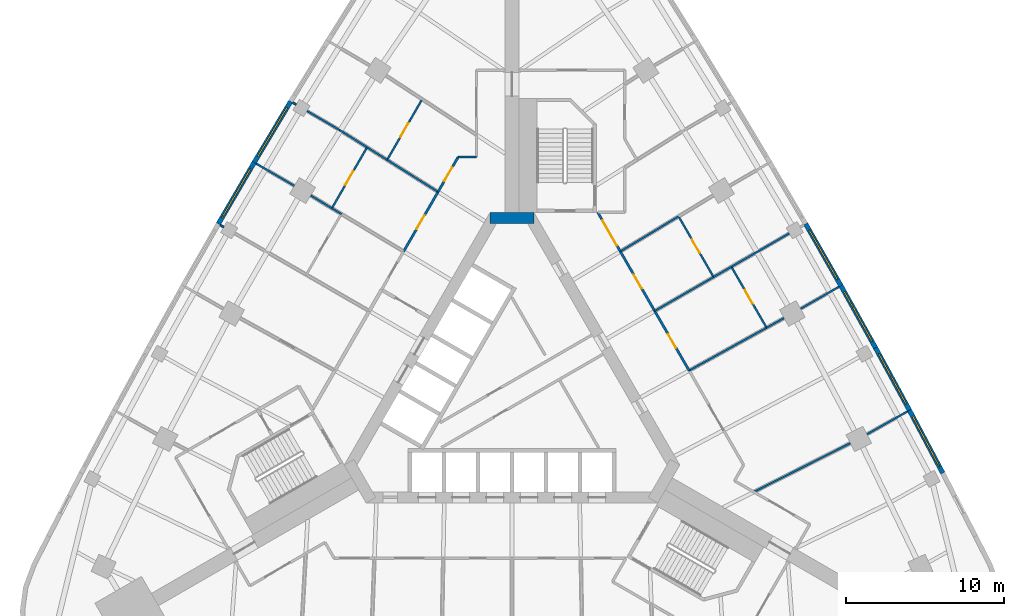
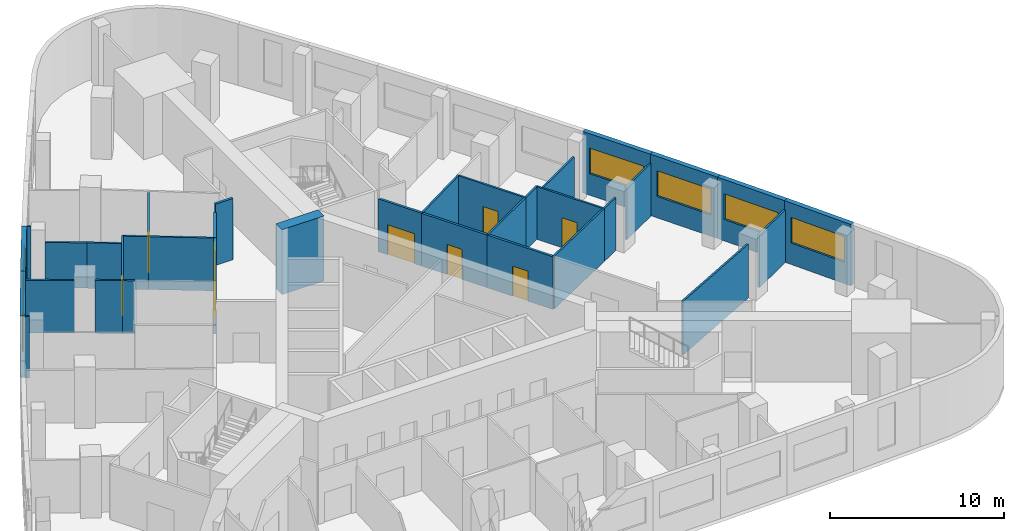
# One storey, part 8 of 11: 35 walls, 9 doors, 6 windows, 15 openings.
"""IFC4 building model written with IfcOpenShell, lengths in metres."""

from ifc_helpers import new_model, si_unit, direction, frame, frame_2d, origin, place, context, subcontext, project, spatial, rectangle, extrude, material, layer, layer_set, type_object, element, fill, save


model = new_model("IFC4")

# Units and contexts
model_context = context("Model", 3, precision=1e-05, world=origin(), true_north=direction((0.0, 1.0)))
body_context = subcontext(model_context, "Body", "Model", "MODEL_VIEW")
ifc_project = project(units=[si_unit("LENGTHUNIT", "METRE"), si_unit("AREAUNIT", "SQUARE_METRE"), si_unit("VOLUMEUNIT", "CUBIC_METRE"), si_unit("PLANEANGLEUNIT", "RADIAN"), si_unit("MASSUNIT", "GRAM", prefix="KILO")], contexts=[model_context])

# Site, building, storey
site_placement = place(None, origin())
site = spatial("IfcSite", under=ifc_project, at=site_placement, CompositionType="ELEMENT")
building_placement = place(site_placement, origin())
building = spatial("IfcBuilding", under=site, at=building_placement, Name="Noor Cloister Tower", CompositionType="ELEMENT")
storey_placement = place(building_placement, frame((0.0, 0.0, 19.5)))
storey = spatial("IfcBuildingStorey", under=building, at=storey_placement, Name="L04", CompositionType="ELEMENT", Elevation=19.5)

# Wall
ifc_material_1 = material(Name="Concrete C80/95", Category="concrete")
ifc_layer_1 = layer(ifc_material_1, 0.699951171875)
ifc_layer_set_1 = layer_set([ifc_layer_1], Name="Core wall 700 C80/95")
wall_type_1 = type_object("IfcWallType", Name="Core wall 700 C80/95", PredefinedType="SHEAR", material=ifc_layer_set_1)
wall_1_placement = place(storey_placement, frame((1.3857421875, 11.1064453125, -0.25), z_axis=(0.0, 0.0, 1.0), x_axis=(-1.0, 0.0, 0.0)))
element("IfcWall", 1, at=wall_1_placement, inside=storey, type_object=wall_type_1, Name="Core wall L04 4", PredefinedType="SHEAR", context=body_context, shape_type="SweptSolid", body=[
    extrude(rectangle(XDim=2.771484375, YDim=0.699951171875, at=frame_2d((1.3857421875, 0.0))), origin(), (0.0, 0.0, 1.0), 4.550048828125),
])

# Wall, opening, door
ifc_material_2 = material(Name="Plasterboard on steel studs", Category="steel")
ifc_layer_2 = layer(ifc_material_2, 0.14990234375)
ifc_layer_set_2 = layer_set([ifc_layer_2], Name="Corridor wall 150")
wall_type_2 = type_object("IfcWallType", Name="Corridor wall 150", PredefinedType="PARTITIONING", material=ifc_layer_set_2)
wall_2_placement = place(storey_placement, frame((11.2060546875, 1.447021484375, 0.0), z_axis=(0.0, 0.0, 1.0), x_axis=(-0.50014197282, 0.865943420221, 0.0)))
wall_2 = element("IfcWall", 2, at=wall_2_placement, inside=storey, type_object=wall_type_2, Name="Partition", PredefinedType="PARTITIONING", context=body_context, shape_type="SweptSolid", body=[
    extrude(rectangle(XDim=4.348876953125, YDim=0.14990234375, at=frame_2d((2.17431640625, 0.0))), origin(), (0.0, 0.0, 1.0), 3.68798828125),
])
opening_1_placement = place(wall_2_placement, frame((1.64990234375, 0.0, 0.0)))
opening_1 = element("IfcOpeningElement", 3, at=opening_1_placement, cuts=wall_2, Name="Opening L04-016", PredefinedType="OPENING", context=body_context, shape_type="SweptSolid", body=[
    extrude(rectangle(XDim=1.0, YDim=2.10009765625, at=frame_2d((0.5, 1.050048828125))), frame((0.0, 0.0849609375, 0.0), z_axis=(0.0, -1.0, 0.0), x_axis=(1.0, 0.0, 0.0)), (0.0, 0.0, 1.0), 0.169921875),
])
ifc_material_3 = material(Name="Timber door leaf", Category="wood")
door_type_1 = type_object("IfcDoorType", Name="Clinic room door 1000", OperationType="SINGLE_SWING_LEFT", PredefinedType="DOOR", material=ifc_material_3)
door_1_placement = place(opening_1_placement, origin())
door_1 = element("IfcDoor", 4, at=door_1_placement, inside=storey, type_object=door_type_1, Name="Door L04-016", OperationType="SINGLE_SWING_RIGHT", OverallHeight=2.10009765625, OverallWidth=1.0, PredefinedType="DOOR", context=body_context, shape_type="SweptSolid", body=[
    extrude(rectangle(XDim=1.0, YDim=2.10009765625, at=frame_2d((0.5, 1.050048828125))), frame((0.0, 0.02490234375, 0.0), z_axis=(0.0, -1.0, 0.0), x_axis=(1.0, 0.0, 0.0)), (0.0, 0.0, 1.0), 0.050048828125),
])
fill(opening_1, door_1)

wall_3_placement = place(storey_placement, frame((9.030029296875, 5.215087890625, 0.0), z_axis=(0.0, 0.0, 1.0), x_axis=(-0.500070818246, 0.86598451299, 0.0)))
wall_3 = element("IfcWall", 5, at=wall_3_placement, inside=storey, type_object=wall_type_2, Name="Partition", PredefinedType="PARTITIONING", context=body_context, shape_type="SweptSolid", body=[
    extrude(rectangle(XDim=4.347412109375, YDim=0.14990234375, at=frame_2d((2.173828125, 0.0))), origin(), (0.0, 0.0, 1.0), 3.68798828125),
])
opening_2_placement = place(wall_3_placement, frame((1.64990234375, 0.0, 0.0)))
opening_2 = element("IfcOpeningElement", 6, at=opening_2_placement, cuts=wall_3, Name="Opening L04-020", PredefinedType="OPENING", context=body_context, shape_type="SweptSolid", body=[
    extrude(rectangle(XDim=1.0, YDim=2.10009765625, at=frame_2d((0.5, 1.050048828125))), frame((0.0, 0.0849609375, 0.0), z_axis=(0.0, -1.0, 0.0), x_axis=(1.0, 0.0, 0.0)), (0.0, 0.0, 1.0), 0.169921875),
])
door_2_placement = place(opening_2_placement, origin())
door_2 = element("IfcDoor", 7, at=door_2_placement, inside=storey, type_object=door_type_1, Name="Door L04-020", OperationType="SINGLE_SWING_RIGHT", OverallHeight=2.10009765625, OverallWidth=1.0, PredefinedType="DOOR", context=body_context, shape_type="SweptSolid", body=[
    extrude(rectangle(XDim=1.0, YDim=2.10009765625, at=frame_2d((0.5, 1.050048828125))), frame((0.0, 0.02490234375, 0.0), z_axis=(0.0, -1.0, 0.0), x_axis=(1.0, 0.0, 0.0)), (0.0, 0.0, 1.0), 0.050048828125),
])
fill(opening_2, door_2)

wall_4_placement = place(storey_placement, frame((6.85498046875, 8.98193359375, 0.0), z_axis=(0.0, 0.0, 1.0), x_axis=(-0.500176439337, 0.865923512519, 0.0)))
wall_4 = element("IfcWall", 8, at=wall_4_placement, inside=storey, type_object=wall_type_2, Name="Partition", PredefinedType="PARTITIONING", context=body_context, shape_type="SweptSolid", body=[
    extrude(rectangle(XDim=2.85498046875, YDim=0.14990234375, at=frame_2d((1.427490234375, 0.0))), origin(), (0.0, 0.0, 1.0), 3.697998046875),
])
opening_3_placement = place(wall_4_placement, frame((0.449951171875, 0.0, 0.0)))
opening_3 = element("IfcOpeningElement", 9, at=opening_3_placement, cuts=wall_4, Name="Opening L04-024", PredefinedType="OPENING", context=body_context, shape_type="SweptSolid", body=[
    extrude(rectangle(XDim=1.800048828125, YDim=2.10009765625, at=frame_2d((0.89990234375, 1.050048828125))), frame((0.0, 0.0849609375, 0.0), z_axis=(0.0, -1.0, 0.0), x_axis=(1.0, 0.0, 0.0)), (0.0, 0.0, 1.0), 0.169921875),
])
ifc_material_4 = material(Name="Timber door leaf", Category="wood")
door_type_2 = type_object("IfcDoorType", Name="Double leaf door 1800", OperationType="DOUBLE_DOOR_SINGLE_SWING", PredefinedType="DOOR", material=ifc_material_4)
door_3_placement = place(opening_3_placement, origin())
door_3 = element("IfcDoor", 10, at=door_3_placement, inside=storey, type_object=door_type_2, Name="Door L04-024", OperationType="DOUBLE_DOOR_SINGLE_SWING", OverallHeight=2.10009765625, OverallWidth=1.800048828125, PredefinedType="DOOR", context=body_context, shape_type="SweptSolid", body=[
    extrude(rectangle(XDim=1.800048828125, YDim=2.10009765625, at=frame_2d((0.89990234375, 1.050048828125))), frame((0.0, 0.02490234375, 0.0), z_axis=(0.0, -1.0, 0.0), x_axis=(1.0, 0.0, 0.0)), (0.0, 0.0, 1.0), 0.050048828125),
])
fill(opening_3, door_3)

wall_5_placement = place(storey_placement, frame((-6.85791015625, 8.97900390625, 0.0), z_axis=(0.0, 0.0, 1.0), x_axis=(0.500105111742, 0.865964708986, 0.0)))
wall_5 = element("IfcWall", 11, at=wall_5_placement, inside=storey, type_object=wall_type_2, Name="Partition", PredefinedType="PARTITIONING", context=body_context, shape_type="SweptSolid", body=[
    extrude(rectangle(XDim=4.36279296875, YDim=0.14990234375, at=frame_2d((2.181396484375, 0.0))), origin(), (0.0, 0.0, 1.0), 3.697998046875),
])
opening_4_placement = place(wall_5_placement, frame((1.64990234375, 0.0, 0.0)))
opening_4 = element("IfcOpeningElement", 12, at=opening_4_placement, cuts=wall_5, Name="Opening L04-023", PredefinedType="OPENING", context=body_context, shape_type="SweptSolid", body=[
    extrude(rectangle(XDim=1.0, YDim=2.10009765625, at=frame_2d((0.5, 1.050048828125))), frame((0.0, 0.0849609375, 0.0), z_axis=(0.0, -1.0, 0.0), x_axis=(1.0, 0.0, 0.0)), (0.0, 0.0, 1.0), 0.169921875),
])
door_4_placement = place(opening_4_placement, origin())
door_4 = element("IfcDoor", 13, at=door_4_placement, inside=storey, type_object=door_type_1, Name="Door L04-023", OperationType="SINGLE_SWING_LEFT", OverallHeight=2.10009765625, OverallWidth=1.0, PredefinedType="DOOR", context=body_context, shape_type="SweptSolid", body=[
    extrude(rectangle(XDim=1.0, YDim=2.10009765625, at=frame_2d((0.5, 1.050048828125))), frame((0.0, 0.02490234375, 0.0), z_axis=(0.0, -1.0, 0.0), x_axis=(1.0, 0.0, 0.0)), (0.0, 0.0, 1.0), 0.050048828125),
])
fill(opening_4, door_4)

# Wall
wall_6_placement = place(storey_placement, frame((-2.25, 14.9560546875, 0.0), z_axis=(0.0, 0.0, 1.0), x_axis=(-1.0, 0.0, 0.0)))
element("IfcWall", 14, at=wall_6_placement, inside=storey, type_object=wall_type_2, Name="Partition", PredefinedType="PARTITIONING", context=body_context, shape_type="SweptSolid", body=[
    extrude(rectangle(XDim=1.156005859375, YDim=0.14990234375, at=frame_2d((0.578125, 0.0))), origin(), (0.0, 0.0, 1.0), 4.300048828125),
])

# Wall, opening, door
wall_7_placement = place(storey_placement, frame((-3.406005859375, 14.9560546875, 0.0), z_axis=(0.0, 0.0, 1.0), x_axis=(-0.499999364504, -0.866025770688, 0.0)))
wall_7 = element("IfcWall", 15, at=wall_7_placement, inside=storey, type_object=wall_type_2, Name="Partition", PredefinedType="PARTITIONING", context=body_context, shape_type="SweptSolid", body=[
    extrude(rectangle(XDim=2.5439453125, YDim=0.14990234375, at=frame_2d((1.27197265625, 0.0))), origin(), (0.0, 0.0, 1.0), 3.697998046875),
])
opening_5_placement = place(wall_7_placement, frame((0.75, 0.0, 0.0)))
opening_5 = element("IfcOpeningElement", 16, at=opening_5_placement, cuts=wall_7, Name="Opening L04-026", PredefinedType="OPENING", context=body_context, shape_type="SweptSolid", body=[
    extrude(rectangle(XDim=1.0, YDim=2.10009765625, at=frame_2d((0.5, 1.050048828125))), frame((0.0, 0.0849609375, 0.0), z_axis=(0.0, -1.0, 0.0), x_axis=(1.0, 0.0, 0.0)), (0.0, 0.0, 1.0), 0.169921875),
])
door_5_placement = place(opening_5_placement, origin())
door_5 = element("IfcDoor", 17, at=door_5_placement, inside=storey, type_object=door_type_1, Name="Door L04-026", OperationType="SINGLE_SWING_RIGHT", OverallHeight=2.10009765625, OverallWidth=1.0, PredefinedType="DOOR", context=body_context, shape_type="SweptSolid", body=[
    extrude(rectangle(XDim=1.0, YDim=2.10009765625, at=frame_2d((0.5, 1.050048828125))), frame((0.0, 0.02490234375, 0.0), z_axis=(0.0, -1.0, 0.0), x_axis=(1.0, 0.0, 0.0)), (0.0, 0.0, 1.0), 0.050048828125),
])
fill(opening_5, door_5)

# Wall, opening, window
ifc_material_5 = material(Name="Limestone", Category="masonry")
ifc_layer_3 = layer(ifc_material_5, 0.300048828125)
ifc_layer_set_3 = layer_set([ifc_layer_3], Name="Limestone panel wall 300")
wall_type_3 = type_object("IfcWallType", Name="Limestone panel wall 300", PredefinedType="NOTDEFINED", material=ifc_layer_set_3)
wall_8_placement = place(storey_placement, frame((-16.312744140625, 14.61376953125, 0.0), z_axis=(0.0, 0.0, 1.0), x_axis=(0.513257465408, 0.858234684805, 0.0)))
wall_8 = element("IfcWall", 18, at=wall_8_placement, inside=storey, type_object=wall_type_3, Name="Limestone wall L04 NW 4", PredefinedType="NOTDEFINED", context=body_context, shape_type="SweptSolid", body=[
    extrude(rectangle(XDim=4.49609375, YDim=0.300048828125, at=frame_2d((2.248046875, 0.0))), origin(), (0.0, 0.0, 1.0), 4.300048828125),
])
opening_6_placement = place(wall_8_placement, frame((0.447998046875, 0.0, 1.5)))
opening_6 = element("IfcOpeningElement", 19, at=opening_6_placement, cuts=wall_8, Name="Opening L04-W04", PredefinedType="OPENING", context=body_context, shape_type="SweptSolid", body=[
    extrude(rectangle(XDim=3.60009765625, YDim=1.800048828125, at=frame_2d((1.800048828125, 0.89990234375))), frame((0.0, 0.16015625, 0.0), z_axis=(0.0, -1.0, 0.0), x_axis=(1.0, 0.0, 0.0)), (0.0, 0.0, 1.0), 0.320068359375),
])
ifc_material_6 = material(Name="Aluminium 6063-T6 anodised", Category="aluminium")
window_type = type_object("IfcWindowType", Name="Clerestory window 3600 x 1800", PartitioningType="SINGLE_PANEL", PredefinedType="WINDOW", material=ifc_material_6)
window_1_placement = place(opening_6_placement, origin())
window_1 = element("IfcWindow", 20, at=window_1_placement, inside=storey, type_object=window_type, Name="Window L04 4", OverallHeight=1.800048828125, OverallWidth=3.60009765625, PartitioningType="SINGLE_PANEL", PredefinedType="WINDOW", context=body_context, shape_type="SweptSolid", body=[
    extrude(rectangle(XDim=3.60009765625, YDim=1.800048828125, at=frame_2d((1.800048828125, 0.89990234375))), frame((0.0, 0.030029296875, 0.0), z_axis=(0.0, -1.0, 0.0), x_axis=(1.0, 0.0, 0.0)), (0.0, 0.0, 1.0), 0.06005859375),
])
fill(opening_6, window_1)

wall_9_placement = place(storey_placement, frame((-18.58203125, 10.729736328125, 0.0), z_axis=(0.0, 0.0, 1.0), x_axis=(0.50445499627, 0.86343798662, 0.0)))
wall_9 = element("IfcWall", 21, at=wall_9_placement, inside=storey, type_object=wall_type_3, Name="Limestone wall L04 NW 5", PredefinedType="NOTDEFINED", context=body_context, shape_type="SweptSolid", body=[
    extrude(rectangle(XDim=4.49609375, YDim=0.300048828125, at=frame_2d((2.248046875, 0.0))), origin(), (0.0, 0.0, 1.0), 4.300048828125),
])
opening_7_placement = place(wall_9_placement, frame((0.447998046875, 0.0, 1.5)))
opening_7 = element("IfcOpeningElement", 22, at=opening_7_placement, cuts=wall_9, Name="Opening L04-W05", PredefinedType="OPENING", context=body_context, shape_type="SweptSolid", body=[
    extrude(rectangle(XDim=3.60009765625, YDim=1.800048828125, at=frame_2d((1.800048828125, 0.89990234375))), frame((0.0, 0.16015625, 0.0), z_axis=(0.0, -1.0, 0.0), x_axis=(1.0, 0.0, 0.0)), (0.0, 0.0, 1.0), 0.320068359375),
])
window_2_placement = place(opening_7_placement, origin())
window_2 = element("IfcWindow", 23, at=window_2_placement, inside=storey, type_object=window_type, Name="Window L04 5", OverallHeight=1.800048828125, OverallWidth=3.60009765625, PartitioningType="SINGLE_PANEL", PredefinedType="WINDOW", context=body_context, shape_type="SweptSolid", body=[
    extrude(rectangle(XDim=3.60009765625, YDim=1.800048828125, at=frame_2d((1.800048828125, 0.89990234375))), frame((0.0, 0.030029296875, 0.0), z_axis=(0.0, -1.0, 0.0), x_axis=(1.0, 0.0, 0.0)), (0.0, 0.0, 1.0), 0.06005859375),
])
fill(opening_7, window_2)

wall_10_placement = place(storey_placement, frame((25.149658203125, -1.061767578125, 0.0), z_axis=(0.0, 0.0, 1.0), x_axis=(0.468566202388, -0.883428386447, 0.0)))
wall_10 = element("IfcWall", 24, at=wall_10_placement, inside=storey, type_object=wall_type_3, Name="Limestone wall L04 NE 2", PredefinedType="NOTDEFINED", context=body_context, shape_type="SweptSolid", body=[
    extrude(rectangle(XDim=4.49609375, YDim=0.300048828125, at=frame_2d((2.248046875, 0.0))), origin(), (0.0, 0.0, 1.0), 4.300048828125),
])
opening_8_placement = place(wall_10_placement, frame((0.447998046875, 0.0, 1.5)))
opening_8 = element("IfcOpeningElement", 25, at=opening_8_placement, cuts=wall_10, Name="Opening L04-W22", PredefinedType="OPENING", context=body_context, shape_type="SweptSolid", body=[
    extrude(rectangle(XDim=3.60009765625, YDim=1.800048828125, at=frame_2d((1.800048828125, 0.89990234375))), frame((0.0, 0.16015625, 0.0), z_axis=(0.0, -1.0, 0.0), x_axis=(1.0, 0.0, 0.0)), (0.0, 0.0, 1.0), 0.320068359375),
])
window_3_placement = place(opening_8_placement, origin())
window_3 = element("IfcWindow", 26, at=window_3_placement, inside=storey, type_object=window_type, Name="Window L04 22", OverallHeight=1.800048828125, OverallWidth=3.60009765625, PartitioningType="SINGLE_PANEL", PredefinedType="WINDOW", context=body_context, shape_type="SweptSolid", body=[
    extrude(rectangle(XDim=3.60009765625, YDim=1.800048828125, at=frame_2d((1.800048828125, 0.89990234375))), frame((0.0, 0.030029296875, 0.0), z_axis=(0.0, -1.0, 0.0), x_axis=(1.0, 0.0, 0.0)), (0.0, 0.0, 1.0), 0.06005859375),
])
fill(opening_8, window_3)

wall_11_placement = place(storey_placement, frame((23.001220703125, 2.890380859375, 0.0), z_axis=(0.0, 0.0, 1.0), x_axis=(0.477577109439, -0.878589838628, 0.0)))
wall_11 = element("IfcWall", 27, at=wall_11_placement, inside=storey, type_object=wall_type_3, Name="Limestone wall L04 NE 3", PredefinedType="NOTDEFINED", context=body_context, shape_type="SweptSolid", body=[
    extrude(rectangle(XDim=4.49609375, YDim=0.300048828125, at=frame_2d((2.248046875, 0.0))), origin(), (0.0, 0.0, 1.0), 4.300048828125),
])
opening_9_placement = place(wall_11_placement, frame((0.447998046875, 0.0, 1.5)))
opening_9 = element("IfcOpeningElement", 28, at=opening_9_placement, cuts=wall_11, Name="Opening L04-W23", PredefinedType="OPENING", context=body_context, shape_type="SweptSolid", body=[
    extrude(rectangle(XDim=3.60009765625, YDim=1.800048828125, at=frame_2d((1.800048828125, 0.89990234375))), frame((0.0, 0.16015625, 0.0), z_axis=(0.0, -1.0, 0.0), x_axis=(1.0, 0.0, 0.0)), (0.0, 0.0, 1.0), 0.320068359375),
])
window_4_placement = place(opening_9_placement, origin())
window_4 = element("IfcWindow", 29, at=window_4_placement, inside=storey, type_object=window_type, Name="Window L04 23", OverallHeight=1.800048828125, OverallWidth=3.60009765625, PartitioningType="SINGLE_PANEL", PredefinedType="WINDOW", context=body_context, shape_type="SweptSolid", body=[
    extrude(rectangle(XDim=3.60009765625, YDim=1.800048828125, at=frame_2d((1.800048828125, 0.89990234375))), frame((0.0, 0.030029296875, 0.0), z_axis=(0.0, -1.0, 0.0), x_axis=(1.0, 0.0, 0.0)), (0.0, 0.0, 1.0), 0.06005859375),
])
fill(opening_9, window_4)

wall_12_placement = place(storey_placement, frame((20.812255859375, 6.8203125, 0.0), z_axis=(0.0, 0.0, 1.0), x_axis=(0.486606252415, -0.873621402617, 0.0)))
wall_12 = element("IfcWall", 30, at=wall_12_placement, inside=storey, type_object=wall_type_3, Name="Limestone wall L04 NE 4", PredefinedType="NOTDEFINED", context=body_context, shape_type="SweptSolid", body=[
    extrude(rectangle(XDim=4.495849609375, YDim=0.300048828125, at=frame_2d((2.248046875, 0.0))), origin(), (0.0, 0.0, 1.0), 4.300048828125),
])
opening_10_placement = place(wall_12_placement, frame((0.447998046875, 0.0, 1.5)))
opening_10 = element("IfcOpeningElement", 31, at=opening_10_placement, cuts=wall_12, Name="Opening L04-W24", PredefinedType="OPENING", context=body_context, shape_type="SweptSolid", body=[
    extrude(rectangle(XDim=3.60009765625, YDim=1.800048828125, at=frame_2d((1.800048828125, 0.89990234375))), frame((0.0, 0.16015625, 0.0), z_axis=(0.0, -1.0, 0.0), x_axis=(1.0, 0.0, 0.0)), (0.0, 0.0, 1.0), 0.320068359375),
])
window_5_placement = place(opening_10_placement, origin())
window_5 = element("IfcWindow", 32, at=window_5_placement, inside=storey, type_object=window_type, Name="Window L04 24", OverallHeight=1.800048828125, OverallWidth=3.60009765625, PartitioningType="SINGLE_PANEL", PredefinedType="WINDOW", context=body_context, shape_type="SweptSolid", body=[
    extrude(rectangle(XDim=3.60009765625, YDim=1.800048828125, at=frame_2d((1.800048828125, 0.89990234375))), frame((0.0, 0.030029296875, 0.0), z_axis=(0.0, -1.0, 0.0), x_axis=(1.0, 0.0, 0.0)), (0.0, 0.0, 1.0), 0.06005859375),
])
fill(opening_10, window_5)

wall_13_placement = place(storey_placement, frame((18.583251953125, 10.7275390625, 0.0), z_axis=(0.0, 0.0, 1.0), x_axis=(0.495524760411, -0.868593812907, 0.0)))
wall_13 = element("IfcWall", 33, at=wall_13_placement, inside=storey, type_object=wall_type_3, Name="Limestone wall L04 NE 5", PredefinedType="NOTDEFINED", context=body_context, shape_type="SweptSolid", body=[
    extrude(rectangle(XDim=4.495849609375, YDim=0.300048828125, at=frame_2d((2.248046875, 0.0))), origin(), (0.0, 0.0, 1.0), 4.300048828125),
])
opening_11_placement = place(wall_13_placement, frame((0.447998046875, 0.0, 1.5)))
opening_11 = element("IfcOpeningElement", 34, at=opening_11_placement, cuts=wall_13, Name="Opening L04-W25", PredefinedType="OPENING", context=body_context, shape_type="SweptSolid", body=[
    extrude(rectangle(XDim=3.60009765625, YDim=1.800048828125, at=frame_2d((1.800048828125, 0.89990234375))), frame((0.0, 0.16015625, 0.0), z_axis=(0.0, -1.0, 0.0), x_axis=(1.0, 0.0, 0.0)), (0.0, 0.0, 1.0), 0.320068359375),
])
window_6_placement = place(opening_11_placement, origin())
window_6 = element("IfcWindow", 35, at=window_6_placement, inside=storey, type_object=window_type, Name="Window L04 25", OverallHeight=1.800048828125, OverallWidth=3.60009765625, PartitioningType="SINGLE_PANEL", PredefinedType="WINDOW", context=body_context, shape_type="SweptSolid", body=[
    extrude(rectangle(XDim=3.60009765625, YDim=1.800048828125, at=frame_2d((1.800048828125, 0.89990234375))), frame((0.0, 0.030029296875, 0.0), z_axis=(0.0, -1.0, 0.0), x_axis=(1.0, 0.0, 0.0)), (0.0, 0.0, 1.0), 0.06005859375),
])
fill(opening_11, window_6)

# Walls
ifc_material_7 = material(Name="Plasterboard on steel studs", Category="steel")
ifc_layer_4 = layer(ifc_material_7, 0.1201171875)
ifc_layer_set_4 = layer_set([ifc_layer_4], Name="Partition wall 120")
wall_type_4 = type_object("IfcWallType", Name="Partition wall 120", PredefinedType="PARTITIONING", material=ifc_layer_set_4)
wall_14_placement = place(storey_placement, frame((21.40087890625, -3.14990234375, 0.0), z_axis=(0.0, 0.0, 1.0), x_axis=(-0.892483368892, -0.451080299117, 0.0)))
element("IfcWall", 36, at=wall_14_placement, inside=storey, type_object=wall_type_4, Name="Partition", PredefinedType="PARTITIONING", context=body_context, shape_type="SweptSolid", body=[
    extrude(rectangle(XDim=6.8369140625, YDim=0.1201171875, at=frame_2d((3.41845703125, 0.0))), origin(), (0.0, 0.0, 1.0), 3.76708984375),
])
wall_15_placement = place(storey_placement, frame((25.02001953125, -1.137939453125, 0.0), z_axis=(0.0, 0.0, 1.0), x_axis=(-0.870620069476, -0.491955988505, 0.0)))
element("IfcWall", 37, at=wall_15_placement, inside=storey, type_object=wall_type_4, Name="Partition", PredefinedType="PARTITIONING", context=body_context, shape_type="SweptSolid", body=[
    extrude(rectangle(XDim=2.939453125, YDim=0.1201171875, at=frame_2d((1.4697265625, 0.0))), origin(), (0.0, 0.0, 1.0), 3.68310546875),
])
wall_16_placement = place(storey_placement, frame((16.10791015625, 4.155029296875, 0.0), z_axis=(0.0, 0.0, 1.0), x_axis=(-0.875228903622, -0.483708968559, 0.0)))
element("IfcWall", 38, at=wall_16_placement, inside=storey, type_object=wall_type_4, Name="Partition", PredefinedType="PARTITIONING", context=body_context, shape_type="SweptSolid", body=[
    extrude(rectangle(XDim=5.598388671875, YDim=0.1201171875, at=frame_2d((2.79931640625, 0.0))), origin(), (0.0, 0.0, 1.0), 3.697998046875),
])
wall_17_placement = place(storey_placement, frame((17.214111328125, 4.76708984375, 0.0), z_axis=(0.0, 0.0, 1.0), x_axis=(-0.875140294724, -0.483869263904, 0.0)))
element("IfcWall", 39, at=wall_17_placement, inside=storey, type_object=wall_type_4, Name="Partition", PredefinedType="PARTITIONING", context=body_context, shape_type="SweptSolid", body=[
    extrude(rectangle(XDim=1.262939453125, YDim=0.1201171875, at=frame_2d((0.63134765625, 0.0))), origin(), (0.0, 0.0, 1.0), 3.697998046875),
])
wall_18_placement = place(storey_placement, frame((20.681884765625, 6.74609375, 0.0), z_axis=(0.0, 0.0, 1.0), x_axis=(-0.867283853893, -0.49781393791, 0.0)))
element("IfcWall", 40, at=wall_18_placement, inside=storey, type_object=wall_type_4, Name="Partition", PredefinedType="PARTITIONING", context=body_context, shape_type="SweptSolid", body=[
    extrude(rectangle(XDim=2.79248046875, YDim=0.1201171875, at=frame_2d((1.396240234375, 0.0))), origin(), (0.0, 0.0, 1.0), 3.68310546875),
])

# Wall, opening, door
wall_19_placement = place(storey_placement, frame((16.10693359375, 4.156005859375, 0.0), z_axis=(0.0, 0.0, 1.0), x_axis=(-0.499836357881, 0.866119861994, 0.0)))
wall_19 = element("IfcWall", 41, at=wall_19_placement, inside=storey, type_object=wall_type_4, Name="Partition", PredefinedType="PARTITIONING", context=body_context, shape_type="SweptSolid", body=[
    extrude(rectangle(XDim=4.453125, YDim=0.1201171875, at=frame_2d((2.2265625, 0.0))), origin(), (0.0, 0.0, 1.0), 3.68798828125),
])
opening_12_placement = place(wall_19_placement, frame((1.75, 0.0, 0.0)))
opening_12 = element("IfcOpeningElement", 42, at=opening_12_placement, cuts=wall_19, Name="Opening L04-018", PredefinedType="OPENING", context=body_context, shape_type="SweptSolid", body=[
    extrude(rectangle(XDim=1.0, YDim=2.10009765625, at=frame_2d((0.5, 1.050048828125))), frame((0.0, 0.070068359375, 0.0), z_axis=(0.0, -1.0, 0.0), x_axis=(1.0, 0.0, 0.0)), (0.0, 0.0, 1.0), 0.14013671875),
])
door_6_placement = place(opening_12_placement, origin())
door_6 = element("IfcDoor", 43, at=door_6_placement, inside=storey, type_object=door_type_1, Name="Door L04-018", OperationType="SINGLE_SWING_LEFT", OverallHeight=2.10009765625, OverallWidth=1.0, PredefinedType="DOOR", context=body_context, shape_type="SweptSolid", body=[
    extrude(rectangle(XDim=1.0, YDim=2.10009765625, at=frame_2d((0.5, 1.050048828125))), frame((0.0, 0.02490234375, 0.0), z_axis=(0.0, -1.0, 0.0), x_axis=(1.0, 0.0, 0.0)), (0.0, 0.0, 1.0), 0.050048828125),
])
fill(opening_12, door_6)

# Walls
wall_20_placement = place(storey_placement, frame((12.7548828125, 7.363037109375, 0.0), z_axis=(0.0, 0.0, 1.0), x_axis=(-0.866173292352, -0.499743761959, 0.0)))
element("IfcWall", 44, at=wall_20_placement, inside=storey, type_object=wall_type_4, Name="Partition", PredefinedType="PARTITIONING", context=body_context, shape_type="SweptSolid", body=[
    extrude(rectangle(XDim=4.298095703125, YDim=0.1201171875, at=frame_2d((2.14892578125, 0.0))), origin(), (0.0, 0.0, 1.0), 3.68798828125),
])
wall_21_placement = place(storey_placement, frame((13.881103515625, 8.012939453125, 0.0), z_axis=(0.0, 0.0, 1.0), x_axis=(-0.866223138365, -0.499657357156, 0.0)))
element("IfcWall", 45, at=wall_21_placement, inside=storey, type_object=wall_type_4, Name="Partition", PredefinedType="PARTITIONING", context=body_context, shape_type="SweptSolid", body=[
    extrude(rectangle(XDim=1.298828125, YDim=0.1201171875, at=frame_2d((0.6494140625, 0.0))), origin(), (0.0, 0.0, 1.0), 3.68798828125),
])
wall_22_placement = place(storey_placement, frame((-18.236083984375, 10.528076171875, 0.0), z_axis=(0.0, 0.0, 1.0), x_axis=(-0.864625231999, 0.50241736454, 0.0)))
element("IfcWall", 46, at=wall_22_placement, inside=storey, type_object=wall_type_4, Name="Partition", PredefinedType="PARTITIONING", context=body_context, shape_type="SweptSolid", body=[
    extrude(rectangle(XDim=0.250732421875, YDim=0.1201171875, at=frame_2d((0.12548828125, 0.0))), origin(), (0.0, 0.0, 1.0), 4.300048828125),
])
wall_23_placement = place(storey_placement, frame((17.54296875, 10.1279296875, 0.0), z_axis=(0.0, 0.0, 1.0), x_axis=(-0.865942311451, -0.500143892533, 0.0)))
element("IfcWall", 47, at=wall_23_placement, inside=storey, type_object=wall_type_4, Name="Partition", PredefinedType="PARTITIONING", context=body_context, shape_type="SweptSolid", body=[
    extrude(rectangle(XDim=4.228759765625, YDim=0.1201171875, at=frame_2d((2.1142578125, 0.0))), origin(), (0.0, 0.0, 1.0), 3.179931640625),
])

# Wall, opening, door
wall_24_placement = place(storey_placement, frame((12.75390625, 7.364013671875, 0.0), z_axis=(0.0, 0.0, 1.0), x_axis=(-0.499862428325, 0.86610481626, 0.0)))
wall_24 = element("IfcWall", 48, at=wall_24_placement, inside=storey, type_object=wall_type_4, Name="Partition", PredefinedType="PARTITIONING", context=body_context, shape_type="SweptSolid", body=[
    extrude(rectangle(XDim=4.428955078125, YDim=0.1201171875, at=frame_2d((2.21435546875, 0.0))), origin(), (0.0, 0.0, 1.0), 3.68798828125),
])
opening_13_placement = place(wall_24_placement, frame((1.75, 0.0, 0.0)))
opening_13 = element("IfcOpeningElement", 49, at=opening_13_placement, cuts=wall_24, Name="Opening L04-021", PredefinedType="OPENING", context=body_context, shape_type="SweptSolid", body=[
    extrude(rectangle(XDim=1.0, YDim=2.10009765625, at=frame_2d((0.5, 1.050048828125))), frame((0.0, 0.070068359375, 0.0), z_axis=(0.0, -1.0, 0.0), x_axis=(1.0, 0.0, 0.0)), (0.0, 0.0, 1.0), 0.14013671875),
])
door_7_placement = place(opening_13_placement, origin())
door_7 = element("IfcDoor", 50, at=door_7_placement, inside=storey, type_object=door_type_1, Name="Door L04-021", OperationType="SINGLE_SWING_LEFT", OverallHeight=2.10009765625, OverallWidth=1.0, PredefinedType="DOOR", context=body_context, shape_type="SweptSolid", body=[
    extrude(rectangle(XDim=1.0, YDim=2.10009765625, at=frame_2d((0.5, 1.050048828125))), frame((0.0, 0.02490234375, 0.0), z_axis=(0.0, -1.0, 0.0), x_axis=(1.0, 0.0, 0.0)), (0.0, 0.0, 1.0), 0.050048828125),
])
fill(opening_13, door_7)

# Walls
wall_25_placement = place(storey_placement, frame((10.5439453125, 11.202880859375, 0.0), z_axis=(0.0, 0.0, 1.0), x_axis=(-0.85659577265, -0.515988064084, 0.0)))
element("IfcWall", 51, at=wall_25_placement, inside=storey, type_object=wall_type_4, Name="Partition", PredefinedType="PARTITIONING", context=body_context, shape_type="SweptSolid", body=[
    extrude(rectangle(XDim=4.30419921875, YDim=0.1201171875, at=frame_2d((2.152099609375, 0.0))), origin(), (0.0, 0.0, 1.0), 3.697998046875),
])
wall_26_placement = place(storey_placement, frame((-10.79296875, 11.35302734375, 0.0), z_axis=(0.0, 0.0, 1.0), x_axis=(-0.856726860661, 0.515770381296, 0.0)))
element("IfcWall", 52, at=wall_26_placement, inside=storey, type_object=wall_type_4, Name="Partition", PredefinedType="PARTITIONING", context=body_context, shape_type="SweptSolid", body=[
    extrude(rectangle(XDim=0.703857421875, YDim=0.1201171875, at=frame_2d((0.35205078125, 0.0))), origin(), (0.0, 0.0, 1.0), 3.697998046875),
])
wall_27_placement = place(storey_placement, frame((-13.76904296875, 13.135009765625, 0.0), z_axis=(0.0, 0.0, 1.0), x_axis=(-0.864576979504, 0.50250039454, 0.0)))
element("IfcWall", 53, at=wall_27_placement, inside=storey, type_object=wall_type_4, Name="Partition", PredefinedType="PARTITIONING", context=body_context, shape_type="SweptSolid", body=[
    extrude(rectangle(XDim=2.792236328125, YDim=0.1201171875, at=frame_2d((1.39599609375, 0.0))), origin(), (0.0, 0.0, 1.0), 3.68310546875),
])
wall_28_placement = place(storey_placement, frame((-11.39697265625, 11.717041015625, 0.0), z_axis=(0.0, 0.0, 1.0), x_axis=(-0.85652691333, 0.516102360721, 0.0)))
element("IfcWall", 54, at=wall_28_placement, inside=storey, type_object=wall_type_4, Name="Partition", PredefinedType="PARTITIONING", context=body_context, shape_type="SweptSolid", body=[
    extrude(rectangle(XDim=1.5634765625, YDim=0.1201171875, at=frame_2d((0.78173828125, 0.0))), origin(), (0.0, 0.0, 1.0), 3.697998046875),
])

# Wall, opening, door
wall_29_placement = place(storey_placement, frame((-9.169921875, 15.572021484375, 0.0), z_axis=(0.0, 0.0, 1.0), x_axis=(-0.499902881486, -0.866081467924, 0.0)))
wall_29 = element("IfcWall", 55, at=wall_29_placement, inside=storey, type_object=wall_type_4, Name="Partition", PredefinedType="PARTITIONING", context=body_context, shape_type="SweptSolid", body=[
    extrude(rectangle(XDim=4.451171875, YDim=0.1201171875, at=frame_2d((2.2255859375, 0.0))), origin(), (0.0, 0.0, 1.0), 3.697998046875),
])
opening_14_placement = place(wall_29_placement, frame((1.75, 0.0, 0.0)))
opening_14 = element("IfcOpeningElement", 56, at=opening_14_placement, cuts=wall_29, Name="Opening L04-025", PredefinedType="OPENING", context=body_context, shape_type="SweptSolid", body=[
    extrude(rectangle(XDim=1.0, YDim=2.10009765625, at=frame_2d((0.5, 1.050048828125))), frame((0.0, 0.070068359375, 0.0), z_axis=(0.0, -1.0, 0.0), x_axis=(1.0, 0.0, 0.0)), (0.0, 0.0, 1.0), 0.14013671875),
])
door_8_placement = place(opening_14_placement, origin())
door_8 = element("IfcDoor", 57, at=door_8_placement, inside=storey, type_object=door_type_1, Name="Door L04-025", OperationType="SINGLE_SWING_LEFT", OverallHeight=2.10009765625, OverallWidth=1.0, PredefinedType="DOOR", context=body_context, shape_type="SweptSolid", body=[
    extrude(rectangle(XDim=1.0, YDim=2.10009765625, at=frame_2d((0.5, 1.050048828125))), frame((0.0, 0.02490234375, 0.0), z_axis=(0.0, -1.0, 0.0), x_axis=(1.0, 0.0, 0.0)), (0.0, 0.0, 1.0), 0.050048828125),
])
fill(opening_14, door_8)

# Walls
wall_30_placement = place(storey_placement, frame((-4.679931640625, 12.7529296875, 0.0), z_axis=(0.0, 0.0, 1.0), x_axis=(-0.846844902979, 0.531839929206, 0.0)))
element("IfcWall", 58, at=wall_30_placement, inside=storey, type_object=wall_type_4, Name="Partition", PredefinedType="PARTITIONING", context=body_context, shape_type="SweptSolid", body=[
    extrude(rectangle(XDim=3.800048828125, YDim=0.1201171875, at=frame_2d((1.89990234375, 0.0))), origin(), (0.0, 0.0, 1.0), 3.697998046875),
])
wall_31_placement = place(storey_placement, frame((-7.90087890625, 14.77587890625, 0.0), z_axis=(0.0, 0.0, 1.0), x_axis=(-0.847002237732, 0.531589323892, 0.0)))
element("IfcWall", 59, at=wall_31_placement, inside=storey, type_object=wall_type_4, Name="Partition", PredefinedType="PARTITIONING", context=body_context, shape_type="SweptSolid", body=[
    extrude(rectangle(XDim=1.503173828125, YDim=0.1201171875, at=frame_2d((0.75146484375, 0.0))), origin(), (0.0, 0.0, 1.0), 3.697998046875),
])
wall_32_placement = place(storey_placement, frame((-13.657958984375, 18.27294921875, 0.0), z_axis=(0.0, 0.0, 1.0), x_axis=(-0.863885093979, 0.503688936151, 0.0)))
element("IfcWall", 60, at=wall_32_placement, inside=storey, type_object=wall_type_4, Name="Partition", PredefinedType="PARTITIONING", context=body_context, shape_type="SweptSolid", body=[
    extrude(rectangle(XDim=0.25, YDim=0.1201171875, at=frame_2d((0.125, 0.0))), origin(), (0.0, 0.0, 1.0), 4.300048828125),
])
wall_33_placement = place(storey_placement, frame((-9.166015625, 15.571044921875, 0.0), z_axis=(0.0, 0.0, 1.0), x_axis=(-0.84701751501, 0.531564981227, 0.0)))
element("IfcWall", 61, at=wall_33_placement, inside=storey, type_object=wall_type_4, Name="Partition", PredefinedType="PARTITIONING", context=body_context, shape_type="SweptSolid", body=[
    extrude(rectangle(XDim=2.044677734375, YDim=0.1201171875, at=frame_2d((1.0224609375, 0.0))), origin(), (0.0, 0.0, 1.0), 3.179931640625),
])
wall_34_placement = place(storey_placement, frame((-10.89794921875, 16.657958984375, 0.0), z_axis=(0.0, 0.0, 1.0), x_axis=(-0.863161652457, 0.504927679701, 0.0)))
element("IfcWall", 62, at=wall_34_placement, inside=storey, type_object=wall_type_4, Name="Partition", PredefinedType="PARTITIONING", context=body_context, shape_type="SweptSolid", body=[
    extrude(rectangle(XDim=2.398193359375, YDim=0.1201171875, at=frame_2d((1.19921875, 0.0))), origin(), (0.0, 0.0, 1.0), 3.179931640625),
])

# Wall, opening, door
wall_35_placement = place(storey_placement, frame((-5.68408203125, 18.611083984375, 0.0), z_axis=(0.0, 0.0, 1.0), x_axis=(-0.500099413844, -0.865967999567, 0.0)))
wall_35 = element("IfcWall", 63, at=wall_35_placement, inside=storey, type_object=wall_type_4, Name="Partition", PredefinedType="PARTITIONING", context=body_context, shape_type="SweptSolid", body=[
    extrude(rectangle(XDim=4.4287109375, YDim=0.1201171875, at=frame_2d((2.21435546875, 0.0))), origin(), (0.0, 0.0, 1.0), 3.697998046875),
])
opening_15_placement = place(wall_35_placement, frame((1.75, 0.0, 0.0)))
opening_15 = element("IfcOpeningElement", 64, at=opening_15_placement, cuts=wall_35, Name="Opening L04-027", PredefinedType="OPENING", context=body_context, shape_type="SweptSolid", body=[
    extrude(rectangle(XDim=1.0, YDim=2.10009765625, at=frame_2d((0.5, 1.050048828125))), frame((0.0, 0.070068359375, 0.0), z_axis=(0.0, -1.0, 0.0), x_axis=(1.0, 0.0, 0.0)), (0.0, 0.0, 1.0), 0.14013671875),
])
door_9_placement = place(opening_15_placement, origin())
door_9 = element("IfcDoor", 65, at=door_9_placement, inside=storey, type_object=door_type_1, Name="Door L04-027", OperationType="SINGLE_SWING_LEFT", OverallHeight=2.10009765625, OverallWidth=1.0, PredefinedType="DOOR", context=body_context, shape_type="SweptSolid", body=[
    extrude(rectangle(XDim=1.0, YDim=2.10009765625, at=frame_2d((0.5, 1.050048828125))), frame((0.0, 0.02490234375, 0.0), z_axis=(0.0, -1.0, 0.0), x_axis=(1.0, 0.0, 0.0)), (0.0, 0.0, 1.0), 0.050048828125),
])
fill(opening_15, door_9)

save(model, "model.ifc")
